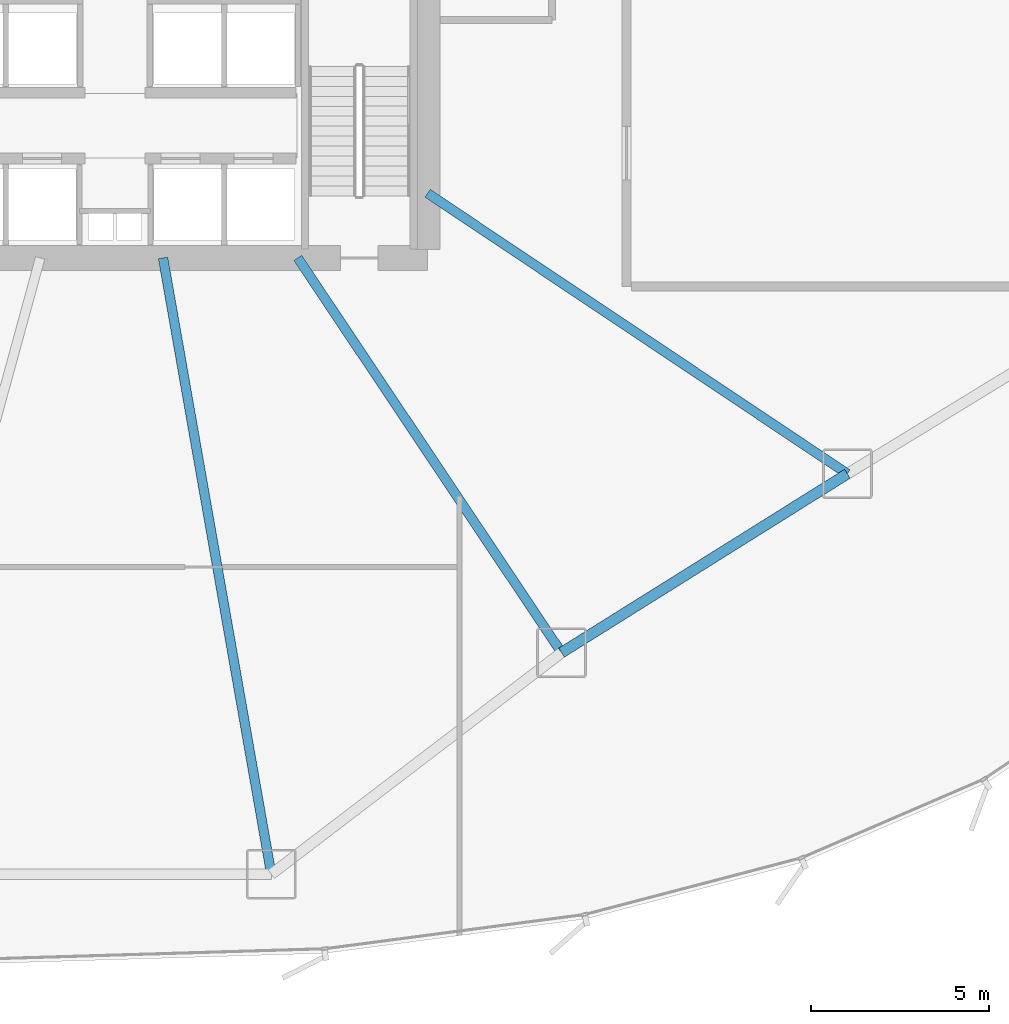
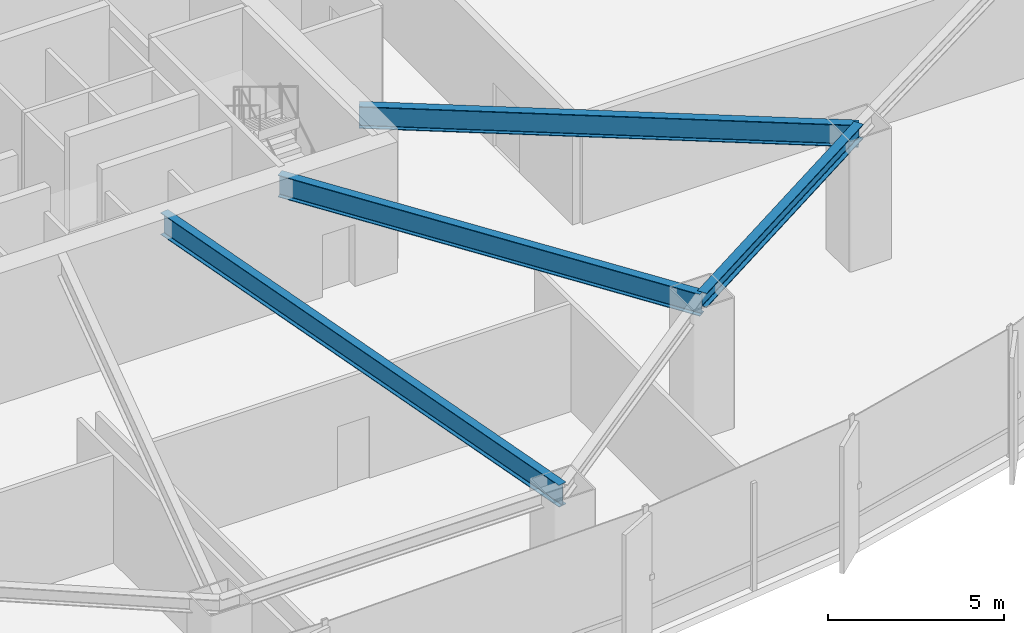
# One storey, part 9 of 33: 4 beams.
"""IFC4 building model written with IfcOpenShell, lengths in metres."""

from ifc_helpers import new_model, si_unit, direction, frame, origin, origin_2d, place, context, subcontext, project, spatial, i_section, extrude, source, transform, mapped, material, material_profile, profile_set, type_object, element, save


model = new_model("IFC4")

# Units and contexts
model_context = context("Model", 3, precision=1e-05, world=origin(), true_north=direction((0.0, 1.0)))
body_context = subcontext(model_context, "Body", "Model", "MODEL_VIEW")
ifc_project = project(units=[si_unit("LENGTHUNIT", "METRE"), si_unit("AREAUNIT", "SQUARE_METRE"), si_unit("VOLUMEUNIT", "CUBIC_METRE"), si_unit("PLANEANGLEUNIT", "RADIAN"), si_unit("MASSUNIT", "GRAM", prefix="KILO"), si_unit("THERMODYNAMICTEMPERATUREUNIT", "KELVIN")], contexts=[model_context])

# Site, building, storey
site_placement = place(None, origin())
site = spatial("IfcSite", under=ifc_project, at=site_placement, CompositionType="ELEMENT")
building_placement = place(site_placement, origin())
building = spatial("IfcBuilding", under=site, at=building_placement, Name="Kethvar Cultural Tower", CompositionType="ELEMENT")
storey_placement = place(building_placement, frame((0.0, 0.0, 10.0)))
storey = spatial("IfcBuildingStorey", under=building, at=storey_placement, Name="L02", CompositionType="ELEMENT", Elevation=10.0)

# Beams
ifc_material = material(Name="Steel S355J2", Category="steel")
ifc_material_profile_1 = material_profile(ifc_material, i_section(OverallWidth=0.300048828125, OverallDepth=0.5, WebThickness=0.014404296875, FlangeThickness=0.028076171875, FilletRadius=0.027099609375, at=origin_2d()), Name="Steel S355J2 — HEB500")
ifc_profile_set_1 = profile_set([ifc_material_profile_1], Name="Steel S355J2 — HEB500")
beam_type_1 = type_object("IfcBeamType", Name="BM-SP500", PredefinedType="SPANDREL", material=ifc_profile_set_1)
shared_shape_1 = source(origin(), body_context, "Body", "SweptSolid", [
    extrude(i_section(OverallWidth=0.300048828125, OverallDepth=0.5, WebThickness=0.014404296875, FlangeThickness=0.028076171875, FilletRadius=0.027099609375, at=origin_2d()), origin(), (0.0, 0.0, 1.0), 9.493896484375),
])
beam_1_placement = place(storey_placement, frame((59.370361328125, 8.987060546875, 4.278076171875), z_axis=(0.847710685997, 0.530458851228, 0.0), x_axis=(-0.530458851228, 0.847710685997, 0.0)))
element("IfcBeam", 1, at=beam_1_placement, inside=storey, type_object=beam_type_1, Name="L02 Podium Ring Beam 14", PredefinedType="SPANDREL", context=body_context, shape_type="MappedRepresentation", body=[
    mapped(shared_shape_1, transform((0.0, 0.0, 0.0), scale=1.0)),
])
ifc_material_profile_2 = material_profile(ifc_material, i_section(OverallWidth=0.26708984375, OverallDepth=0.761962890625, WebThickness=0.014404296875, FlangeThickness=0.021484375, FilletRadius=0.01708984375, at=origin_2d()), Name="Steel S355J2 — IPE750x173")
ifc_profile_set_2 = profile_set([ifc_material_profile_2], Name="Steel S355J2 — IPE750x173")
beam_type_2 = type_object("IfcBeamType", Name="BM-IPE750", PredefinedType="BEAM", material=ifc_profile_set_2)
shared_shape_2 = source(origin(), body_context, "Body", "SweptSolid", [
    extrude(i_section(OverallWidth=0.26708984375, OverallDepth=0.761962890625, WebThickness=0.014404296875, FlangeThickness=0.021484375, FilletRadius=0.01708984375, at=origin_2d()), origin(), (0.0, 0.0, 1.0), 17.61572265625),
])
beam_2_placement = place(storey_placement, frame((48.152587890625, 20.10009765625, 4.14697265625), z_axis=(0.172991485085, -0.984923319903, 0.0), x_axis=(0.984923319903, 0.172991485085, 0.0)))
element("IfcBeam", 2, at=beam_2_placement, inside=storey, type_object=beam_type_2, Name="L02 Podium Radial Girder 13", PredefinedType="BEAM", context=body_context, shape_type="MappedRepresentation", body=[
    mapped(shared_shape_2, transform((0.0, 0.0, 0.0), scale=1.0)),
])
shared_shape_3 = source(origin(), body_context, "Body", "SweptSolid", [
    extrude(i_section(OverallWidth=0.26708984375, OverallDepth=0.761962890625, WebThickness=0.014404296875, FlangeThickness=0.021484375, FilletRadius=0.01708984375, at=origin_2d()), origin(), (0.0, 0.0, 1.0), 13.365478515625),
])
beam_3_placement = place(storey_placement, frame((51.945068359375, 20.10009765625, 4.14697265625), z_axis=(0.555559834465, -0.831476560301, 0.0), x_axis=(0.831476560301, 0.555559834465, 0.0)))
element("IfcBeam", 3, at=beam_3_placement, inside=storey, type_object=beam_type_2, Name="L02 Podium Radial Girder 14", PredefinedType="BEAM", context=body_context, shape_type="MappedRepresentation", body=[
    mapped(shared_shape_3, transform((0.0, 0.0, 0.0), scale=1.0)),
])
shared_shape_4 = source(origin(), body_context, "Body", "SweptSolid", [
    extrude(i_section(OverallWidth=0.26708984375, OverallDepth=0.761962890625, WebThickness=0.014404296875, FlangeThickness=0.021484375, FilletRadius=0.01708984375, at=origin_2d()), origin(), (0.0, 0.0, 1.0), 14.2138671875),
])
beam_4_placement = place(storey_placement, frame((55.60009765625, 21.920166015625, 4.14697265625), z_axis=(0.831463197362, -0.555579833537, 0.0), x_axis=(0.555579833537, 0.831463197362, 0.0)))
element("IfcBeam", 4, at=beam_4_placement, inside=storey, type_object=beam_type_2, Name="L02 Podium Radial Girder 15", PredefinedType="BEAM", context=body_context, shape_type="MappedRepresentation", body=[
    mapped(shared_shape_4, transform((0.0, 0.0, 0.0), scale=1.0)),
])

save(model, "model.ifc")
